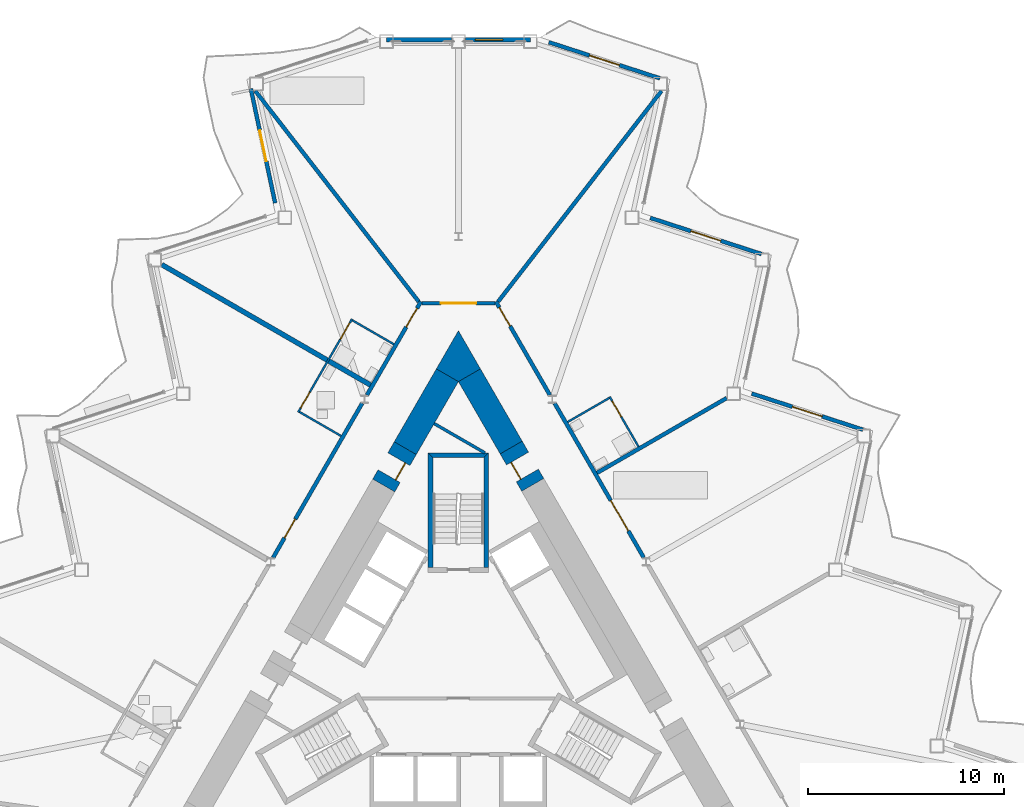
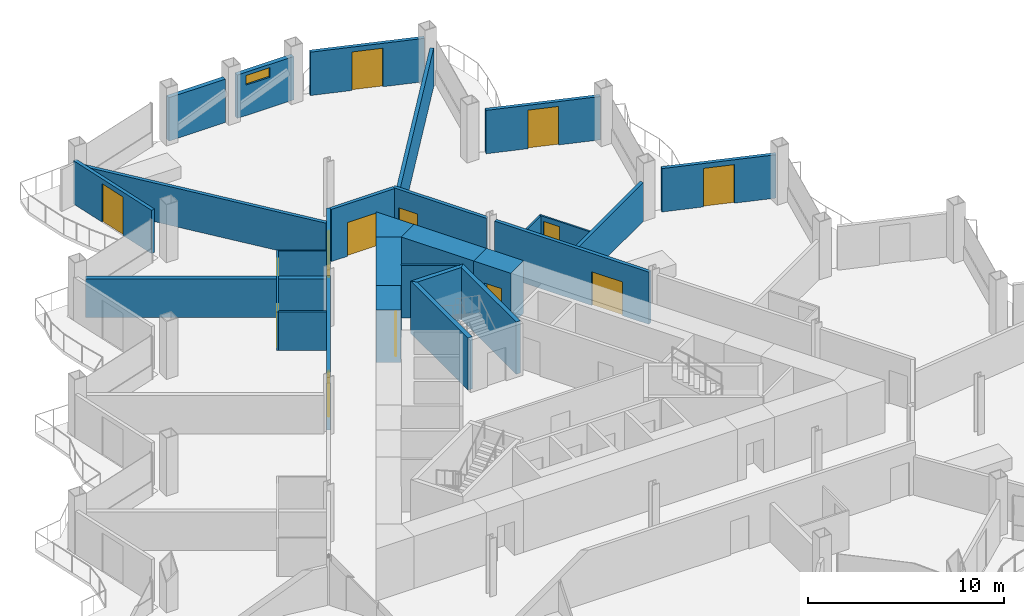
# One storey, part 14 of 23: 29 walls, 14 doors, 1 window, 15 openings.
"""IFC4 building model written with IfcOpenShell, lengths in metres."""

from ifc_helpers import new_model, si_unit, direction, frame, frame_2d, origin, place, context, subcontext, project, spatial, polyline, rectangle, outline, extrude, material, layer, layer_set, type_object, element, fill, save


model = new_model("IFC4")

# Units and contexts
model_context = context("Model", 3, precision=1e-05, world=origin(), true_north=direction((0.0, 1.0)))
body_context = subcontext(model_context, "Body", "Model", "MODEL_VIEW")
ifc_project = project(units=[si_unit("LENGTHUNIT", "METRE"), si_unit("AREAUNIT", "SQUARE_METRE"), si_unit("VOLUMEUNIT", "CUBIC_METRE"), si_unit("PLANEANGLEUNIT", "RADIAN"), si_unit("MASSUNIT", "GRAM", prefix="KILO")], contexts=[model_context])

# Site, building, storey
site_placement = place(None, origin())
site = spatial("IfcSite", under=ifc_project, at=site_placement, CompositionType="ELEMENT")
building_placement = place(site_placement, origin())
building = spatial("IfcBuilding", under=site, at=building_placement, Name="Cormorant Prow Tower", CompositionType="ELEMENT")
storey_placement = place(building_placement, frame((0.0, 0.0, 249.0)))
storey = spatial("IfcBuildingStorey", under=building, at=storey_placement, Name="L55", CompositionType="ELEMENT", Elevation=249.0)

# Walls
ifc_material_1 = material(Name="Gypsum board partition")
ifc_layer_1 = layer(ifc_material_1, 0.14990234375)
ifc_layer_set_1 = layer_set([ifc_layer_1], Name="Gypsum board partition")
wall_type_1 = type_object("IfcWallType", Name="Core partition 150", PredefinedType="PARTITIONING", material=ifc_layer_set_1)
wall_1_placement = place(storey_placement, frame((-1.237060546875, 12.577880859375, 0.0), z_axis=(0.0, 0.0, 1.0), x_axis=(0.866045649925, -0.499964931016, 0.0)))
element("IfcWall", 1, at=wall_1_placement, inside=storey, type_object=wall_type_1, Name="Service room partition", PredefinedType="PARTITIONING", context=body_context, shape_type="SweptSolid", body=[
    extrude(rectangle(XDim=2.992431640625, YDim=0.14990234375, at=frame_2d((1.49609375, 0.0))), origin(), (0.0, 0.0, 1.0), 3.25),
])
ifc_material_2 = material(Name="Concrete 8000 psi", Category="concrete")
ifc_layer_2 = layer(ifc_material_2, 1.300048828125)
ifc_layer_set_2 = layer_set([ifc_layer_2], Name="Concrete 8000 psi")
wall_type_2 = type_object("IfcWallType", Name="Core shear wall 1300", PredefinedType="SHEAR", material=ifc_layer_set_2)
wall_2_placement = place(storey_placement, frame((2.693115234375, 11.356201171875, 0.0), z_axis=(0.0, 0.0, 1.0), x_axis=(-0.50002837164, 0.866009022791, 0.0)))
element("IfcWall", 2, at=wall_2_placement, inside=storey, type_object=wall_type_2, Name="Core wall", PredefinedType="SHEAR", context=body_context, shape_type="SweptSolid", body=[
    extrude(rectangle(XDim=4.260009765625, YDim=1.300048828125, at=frame_2d((2.1298828125, 0.0))), origin(), (0.0, 0.0, 1.0), 3.25),
])
wall_3_placement = place(storey_placement, frame((-0.56298828125, 15.04541015625, 0.0), z_axis=(0.0, 0.0, 1.0), x_axis=(-0.499994567278, -0.866028540345, 0.0)))
element("IfcWall", 3, at=wall_3_placement, inside=storey, type_object=wall_type_2, Name="Core wall", PredefinedType="SHEAR", context=body_context, shape_type="SweptSolid", body=[
    extrude(rectangle(XDim=4.29736328125, YDim=1.300048828125, at=frame_2d((2.148681640625, 0.0))), origin(), (0.0, 0.0, 1.0), 3.25),
])
wall_4_placement = place(storey_placement, origin())
element("IfcWall", 4, at=wall_4_placement, inside=storey, type_object=wall_type_2, Name="Core wall corner", PredefinedType="SHEAR", context=body_context, shape_type="SweptSolid", body=[
    extrude(outline(polyline([(-1.125732421875, 15.37060546875), (0.0, 17.320556640625), (1.125732421875, 15.37060546875), (0.0, 14.720458984375), (-1.125732421875, 15.37060546875)])), origin(), (0.0, 0.0, 1.0), 3.25),
])

# Wall, opening, door
wall_5_placement = place(storey_placement, frame((-2.7119140625, 11.32373046875, 0.0), z_axis=(0.0, 0.0, 1.0), x_axis=(-0.499946605688, -0.86605622881, 0.0)))
wall_5 = element("IfcWall", 5, at=wall_5_placement, inside=storey, type_object=wall_type_2, Name="Core wall door panel", PredefinedType="SHEAR", context=body_context, shape_type="SweptSolid", body=[
    extrude(rectangle(XDim=2.199951171875, YDim=1.300048828125, at=frame_2d((1.10009765625, 0.0))), origin(), (0.0, 0.0, 1.0), 3.25),
])
opening_1_placement = place(wall_5_placement, frame((0.64990234375, 0.0, 0.0)))
opening_1 = element("IfcOpeningElement", 6, at=opening_1_placement, cuts=wall_5, Name="Opening L55-C17", PredefinedType="OPENING", context=body_context, shape_type="SweptSolid", body=[
    extrude(rectangle(XDim=1.0, YDim=2.10009765625, at=frame_2d((0.5, 1.050048828125))), frame((0.0, 0.659912109375, 0.0), z_axis=(0.0, -1.0, 0.0), x_axis=(1.0, 0.0, 0.0)), (0.0, 0.0, 1.0), 1.320068359375),
])
ifc_material_3 = material(Name="Painted steel", Category="steel")
door_type_1 = type_object("IfcDoorType", Name="Service door 1000x2100", OperationType="NOTDEFINED", PredefinedType="DOOR", material=ifc_material_3)
door_1_placement = place(opening_1_placement, origin())
door_1 = element("IfcDoor", 7, at=door_1_placement, inside=storey, type_object=door_type_1, Name="Core door, Telecom room", OperationType="SINGLE_SWING_LEFT", OverallHeight=2.10009765625, OverallWidth=1.0, PredefinedType="DOOR", context=body_context, shape_type="SweptSolid", body=[
    extrude(rectangle(XDim=1.0, YDim=2.10009765625, at=frame_2d((0.5, 1.050048828125))), frame((0.0, 0.40478515625, 0.0), z_axis=(0.0, -1.0, 0.0), x_axis=(1.0, 0.0, 0.0)), (0.0, 0.0, 1.0), 0.050048828125),
])
fill(opening_1, door_1)

wall_6_placement = place(storey_placement, frame((3.79296875, 9.450927734375, 0.0), z_axis=(0.0, 0.0, 1.0), x_axis=(-0.499946605688, 0.86605622881, 0.0)))
wall_6 = element("IfcWall", 8, at=wall_6_placement, inside=storey, type_object=wall_type_2, Name="Core wall door panel", PredefinedType="SHEAR", context=body_context, shape_type="SweptSolid", body=[
    extrude(rectangle(XDim=2.199951171875, YDim=1.300048828125, at=frame_2d((1.10009765625, 0.0))), origin(), (0.0, 0.0, 1.0), 3.25),
])
opening_2_placement = place(wall_6_placement, frame((0.550048828125, 0.0, 0.0)))
opening_2 = element("IfcOpeningElement", 9, at=opening_2_placement, cuts=wall_6, Name="Opening L55-C18", PredefinedType="OPENING", context=body_context, shape_type="SweptSolid", body=[
    extrude(rectangle(XDim=1.0, YDim=2.10009765625, at=frame_2d((0.5, 1.050048828125))), frame((0.0, 0.659912109375, 0.0), z_axis=(0.0, -1.0, 0.0), x_axis=(1.0, 0.0, 0.0)), (0.0, 0.0, 1.0), 1.320068359375),
])
door_2_placement = place(opening_2_placement, origin())
door_2 = element("IfcDoor", 10, at=door_2_placement, inside=storey, type_object=door_type_1, Name="Core door, Pantry store", OperationType="SINGLE_SWING_RIGHT", OverallHeight=2.10009765625, OverallWidth=1.0, PredefinedType="DOOR", context=body_context, shape_type="SweptSolid", body=[
    extrude(rectangle(XDim=1.0, YDim=2.10009765625, at=frame_2d((0.5, 1.050048828125))), frame((0.0, 0.40478515625, 0.0), z_axis=(0.0, -1.0, 0.0), x_axis=(1.0, 0.0, 0.0)), (0.0, 0.0, 1.0), 0.050048828125),
])
fill(opening_2, door_2)

ifc_material_4 = material(Name="Gypsum board corridor wall")
ifc_layer_3 = layer(ifc_material_4, 0.199951171875)
ifc_layer_set_3 = layer_set([ifc_layer_3], Name="Gypsum board corridor wall")
wall_type_3 = type_object("IfcWallType", Name="Corridor wall 200", PredefinedType="PARTITIONING", material=ifc_layer_set_3)
wall_7_placement = place(storey_placement, frame((4.91015625, 13.61572265625, 0.0), z_axis=(0.0, 0.0, 1.0), x_axis=(0.50000207303, -0.866024206917, 0.0)))
wall_7 = element("IfcWall", 11, at=wall_7_placement, inside=storey, type_object=wall_type_3, Name="Corridor wall", PredefinedType="PARTITIONING", context=body_context, shape_type="SweptSolid", body=[
    extrude(rectangle(XDim=9.0947265625, YDim=0.199951171875, at=frame_2d((4.54736328125, 0.0))), origin(), (0.0, 0.0, 1.0), 3.25),
])
opening_3_placement = place(wall_7_placement, frame((5.726318359375, 0.0, 0.0)))
opening_3 = element("IfcOpeningElement", 12, at=opening_3_placement, cuts=wall_7, Name="Opening L55-F10", PredefinedType="OPENING", context=body_context, shape_type="SweptSolid", body=[
    extrude(rectangle(XDim=1.800048828125, YDim=2.10009765625, at=frame_2d((0.89990234375, 1.050048828125))), frame((0.0, 0.10986328125, 0.0), z_axis=(0.0, -1.0, 0.0), x_axis=(1.0, 0.0, 0.0)), (0.0, 0.0, 1.0), 0.219970703125),
])
ifc_material_5 = material(Name="Timber door leaf", Category="wood")
door_type_2 = type_object("IfcDoorType", Name="Double door 1800x2100", OperationType="DOUBLE_DOOR_SINGLE_SWING", PredefinedType="DOOR", material=ifc_material_5)
door_3_placement = place(opening_3_placement, origin())
door_3 = element("IfcDoor", 13, at=door_3_placement, inside=storey, type_object=door_type_2, Name="Library door", OperationType="DOUBLE_DOOR_SINGLE_SWING", OverallHeight=2.10009765625, OverallWidth=1.800048828125, PredefinedType="DOOR", context=body_context, shape_type="SweptSolid", body=[
    extrude(rectangle(XDim=1.800048828125, YDim=2.10009765625, at=frame_2d((0.89990234375, 1.050048828125))), frame((0.0, 0.02490234375, 0.0), z_axis=(0.0, -1.0, 0.0), x_axis=(1.0, 0.0, 0.0)), (0.0, 0.0, 1.0), 0.050048828125),
])
fill(opening_3, door_3)

wall_8_placement = place(storey_placement, frame((-9.45751953125, 5.739501953125, 0.0), z_axis=(0.0, 0.0, 1.0), x_axis=(0.50000207303, 0.866024206917, 0.0)))
wall_8 = element("IfcWall", 14, at=wall_8_placement, inside=storey, type_object=wall_type_3, Name="Corridor wall", PredefinedType="PARTITIONING", context=body_context, shape_type="SweptSolid", body=[
    extrude(rectangle(XDim=9.0947265625, YDim=0.199951171875, at=frame_2d((4.54736328125, 0.0))), origin(), (0.0, 0.0, 1.0), 3.25),
])
opening_4_placement = place(wall_8_placement, frame((1.16162109375, 0.0, 0.0)))
opening_4 = element("IfcOpeningElement", 15, at=opening_4_placement, cuts=wall_8, Name="Opening L55-F16", PredefinedType="OPENING", context=body_context, shape_type="SweptSolid", body=[
    extrude(rectangle(XDim=1.10009765625, YDim=2.10009765625, at=frame_2d((0.550048828125, 1.050048828125))), frame((0.0, 0.10986328125, 0.0), z_axis=(0.0, -1.0, 0.0), x_axis=(1.0, 0.0, 0.0)), (0.0, 0.0, 1.0), 0.219970703125),
])
ifc_material_6 = material(Name="Timber door leaf", Category="wood")
door_type_3 = type_object("IfcDoorType", Name="Suite entrance door 1100x2100", OperationType="NOTDEFINED", PredefinedType="DOOR", material=ifc_material_6)
door_4_placement = place(opening_4_placement, origin())
door_4 = element("IfcDoor", 16, at=door_4_placement, inside=storey, type_object=door_type_3, Name="Junior suite door", OperationType="SINGLE_SWING_LEFT", OverallHeight=2.10009765625, OverallWidth=1.10009765625, PredefinedType="DOOR", context=body_context, shape_type="SweptSolid", body=[
    extrude(rectangle(XDim=1.10009765625, YDim=2.10009765625, at=frame_2d((0.550048828125, 1.050048828125))), frame((0.0, 0.02490234375, 0.0), z_axis=(0.0, -1.0, 0.0), x_axis=(1.0, 0.0, 0.0)), (0.0, 0.0, 1.0), 0.050048828125),
])
fill(opening_4, door_4)

wall_9_placement = place(storey_placement, frame((-4.668212890625, 14.034912109375, 0.0), z_axis=(0.0, 0.0, 1.0), x_axis=(0.499984524817, 0.866034338201, 0.0)))
wall_9 = element("IfcWall", 17, at=wall_9_placement, inside=storey, type_object=wall_type_3, Name="Corridor wall", PredefinedType="PARTITIONING", context=body_context, shape_type="SweptSolid", body=[
    extrude(rectangle(XDim=5.510498046875, YDim=0.199951171875, at=frame_2d((2.75537109375, 0.0))), origin(), (0.0, 0.0, 1.0), 3.25),
])
opening_5_placement = place(wall_9_placement, frame((4.009765625, 0.0, 0.0)))
opening_5 = element("IfcOpeningElement", 18, at=opening_5_placement, cuts=wall_9, Name="Opening L55-F14", PredefinedType="OPENING", context=body_context, shape_type="SweptSolid", body=[
    extrude(rectangle(XDim=1.10009765625, YDim=2.10009765625, at=frame_2d((0.550048828125, 1.050048828125))), frame((0.0, 0.10986328125, 0.0), z_axis=(0.0, -1.0, 0.0), x_axis=(1.0, 0.0, 0.0)), (0.0, 0.0, 1.0), 0.219970703125),
])
door_5_placement = place(opening_5_placement, origin())
door_5 = element("IfcDoor", 19, at=door_5_placement, inside=storey, type_object=door_type_3, Name="Junior suite door", OperationType="SINGLE_SWING_RIGHT", OverallHeight=2.10009765625, OverallWidth=1.10009765625, PredefinedType="DOOR", context=body_context, shape_type="SweptSolid", body=[
    extrude(rectangle(XDim=1.10009765625, YDim=2.10009765625, at=frame_2d((0.550048828125, 1.050048828125))), frame((0.0, 0.02490234375, 0.0), z_axis=(0.0, -1.0, 0.0), x_axis=(1.0, 0.0, 0.0)), (0.0, 0.0, 1.0), 0.050048828125),
])
fill(opening_5, door_5)

wall_10_placement = place(storey_placement, frame((1.9130859375, 18.80712890625, 0.0), z_axis=(0.0, 0.0, 1.0), x_axis=(0.499984524817, -0.866034338201, 0.0)))
wall_10 = element("IfcWall", 20, at=wall_10_placement, inside=storey, type_object=wall_type_3, Name="Corridor wall", PredefinedType="PARTITIONING", context=body_context, shape_type="SweptSolid", body=[
    extrude(rectangle(XDim=5.510498046875, YDim=0.199951171875, at=frame_2d((2.75537109375, 0.0))), origin(), (0.0, 0.0, 1.0), 3.25),
])
opening_6_placement = place(wall_10_placement, frame((0.350341796875, 0.0, 0.0)))
opening_6 = element("IfcOpeningElement", 21, at=opening_6_placement, cuts=wall_10, Name="Opening L55-F11", PredefinedType="OPENING", context=body_context, shape_type="SweptSolid", body=[
    extrude(rectangle(XDim=1.10009765625, YDim=2.10009765625, at=frame_2d((0.550048828125, 1.050048828125))), frame((0.0, 0.10986328125, 0.0), z_axis=(0.0, -1.0, 0.0), x_axis=(1.0, 0.0, 0.0)), (0.0, 0.0, 1.0), 0.219970703125),
])
door_6_placement = place(opening_6_placement, origin())
door_6 = element("IfcDoor", 22, at=door_6_placement, inside=storey, type_object=door_type_3, Name="Executive suite bedroom door", OperationType="SINGLE_SWING_LEFT", OverallHeight=2.10009765625, OverallWidth=1.10009765625, PredefinedType="DOOR", context=body_context, shape_type="SweptSolid", body=[
    extrude(rectangle(XDim=1.10009765625, YDim=2.10009765625, at=frame_2d((0.550048828125, 1.050048828125))), frame((0.0, 0.02490234375, 0.0), z_axis=(0.0, -1.0, 0.0), x_axis=(1.0, 0.0, 0.0)), (0.0, 0.0, 1.0), 0.050048828125),
])
fill(opening_6, door_6)

wall_11_placement = place(storey_placement, frame((-1.863037109375, 18.720458984375, 0.0), z_axis=(0.0, 0.0, 1.0), x_axis=(1.0, 0.0, 0.0)))
wall_11 = element("IfcWall", 23, at=wall_11_placement, inside=storey, type_object=wall_type_3, Name="Corridor wall", PredefinedType="PARTITIONING", context=body_context, shape_type="SweptSolid", body=[
    extrude(rectangle(XDim=3.72607421875, YDim=0.199951171875, at=frame_2d((1.863037109375, 0.0))), origin(), (0.0, 0.0, 1.0), 3.25),
])
opening_7_placement = place(wall_11_placement, frame((0.962890625, 0.0, 0.0)))
opening_7 = element("IfcOpeningElement", 24, at=opening_7_placement, cuts=wall_11, Name="Opening L55-F13", PredefinedType="OPENING", context=body_context, shape_type="SweptSolid", body=[
    extrude(rectangle(XDim=1.800048828125, YDim=2.10009765625, at=frame_2d((0.89990234375, 1.050048828125))), frame((0.0, 0.10986328125, 0.0), z_axis=(0.0, -1.0, 0.0), x_axis=(1.0, 0.0, 0.0)), (0.0, 0.0, 1.0), 0.219970703125),
])
door_7_placement = place(opening_7_placement, origin())
door_7 = element("IfcDoor", 25, at=door_7_placement, inside=storey, type_object=door_type_2, Name="Co-working space door", OperationType="DOUBLE_DOOR_SINGLE_SWING", OverallHeight=2.10009765625, OverallWidth=1.800048828125, PredefinedType="DOOR", context=body_context, shape_type="SweptSolid", body=[
    extrude(rectangle(XDim=1.800048828125, YDim=2.10009765625, at=frame_2d((0.89990234375, 1.050048828125))), frame((0.0, 0.02490234375, 0.0), z_axis=(0.0, -1.0, 0.0), x_axis=(1.0, 0.0, 0.0)), (0.0, 0.0, 1.0), 0.050048828125),
])
fill(opening_7, door_7)

# Walls
ifc_material_7 = material(Name="Gypsum board demising wall")
ifc_layer_4 = layer(ifc_material_7, 0.199951171875)
ifc_layer_set_4 = layer_set([ifc_layer_4], Name="Gypsum board demising wall")
wall_type_4 = type_object("IfcWallType", Name="Demising wall 200", PredefinedType="PARTITIONING", material=ifc_layer_set_4)
for number, where, z_axis, x_axis, name in (
    (26, (2.0244140625, 18.799560546875, 0.0), (0.0, 0.0, 1.0), (0.612908308889, 0.790154038713, 0.0), "Demising wall"),
    (27, (-10.367919921875, 29.555908203125, 0.0), (0.0, 0.0, 1.0), (0.612908308889, -0.790154038713, 0.0), "Demising wall"),
):
    element("IfcWall", number, at=place(storey_placement, frame(where, z_axis=z_axis, x_axis=x_axis)), inside=storey, type_object=wall_type_4, Name=name, PredefinedType="PARTITIONING", context=body_context, shape_type="SweptSolid", body=[
        extrude(rectangle(XDim=13.613037109375, YDim=0.199951171875, at=frame_2d((6.806640625, 0.0))), origin(), (0.0, 0.0, 1.0), 2.404296875),
    ])
wall_12_placement = place(storey_placement, frame((7.0771484375, 10.0625, 0.0), z_axis=(0.0, 0.0, 1.0), x_axis=(0.866041764179, 0.499971661894, 0.0)))
element("IfcWall", 28, at=wall_12_placement, inside=storey, type_object=wall_type_4, Name="Demising wall", PredefinedType="PARTITIONING", context=body_context, shape_type="SweptSolid", body=[
    extrude(rectangle(XDim=7.63232421875, YDim=0.199951171875, at=frame_2d((3.816162109375, 0.0))), origin(), (0.0, 0.0, 1.0), 2.404296875),
])

# Wall, openings, doors
ifc_material_8 = material(Name="Gypsum board partition")
ifc_layer_5 = layer(ifc_material_8, 0.10009765625)
ifc_layer_set_5 = layer_set([ifc_layer_5], Name="Gypsum board partition")
wall_type_5 = type_object("IfcWallType", Name="Internal partition 100", PredefinedType="PARTITIONING", material=ifc_layer_set_5)
wall_13_placement = place(storey_placement, frame((-8.179443359375, 13.1533203125, 0.0), z_axis=(0.0, 0.0, 1.0), x_axis=(0.499996545922, 0.866027397988, 0.0)))
wall_13 = element("IfcWall", 29, at=wall_13_placement, inside=storey, type_object=wall_type_5, Name="Internal partition", PredefinedType="PARTITIONING", context=body_context, shape_type="SweptSolid", body=[
    extrude(rectangle(XDim=5.5, YDim=0.10009765625, at=frame_2d((2.75, 0.0))), origin(), (0.0, 0.0, 1.0), 2.404296875),
])
opening_8_placement = place(wall_13_placement, frame((4.300048828125, 0.0, 0.0)))
opening_8 = element("IfcOpeningElement", 30, at=opening_8_placement, cuts=wall_13, Name="Opening L55-F15", PredefinedType="OPENING", context=body_context, shape_type="SweptSolid", body=[
    extrude(rectangle(XDim=0.949951171875, YDim=2.10009765625, at=frame_2d((0.47509765625, 1.050048828125))), frame((0.0, 0.06005859375, 0.0), z_axis=(0.0, -1.0, 0.0), x_axis=(1.0, 0.0, 0.0)), (0.0, 0.0, 1.0), 0.1201171875),
])
opening_9_placement = place(wall_13_placement, frame((0.25, 0.0, 0.0)))
opening_9 = element("IfcOpeningElement", 31, at=opening_9_placement, cuts=wall_13, Name="Opening L55-F17", PredefinedType="OPENING", context=body_context, shape_type="SweptSolid", body=[
    extrude(rectangle(XDim=0.949951171875, YDim=2.10009765625, at=frame_2d((0.47509765625, 1.050048828125))), frame((0.0, 0.06005859375, 0.0), z_axis=(0.0, -1.0, 0.0), x_axis=(1.0, 0.0, 0.0)), (0.0, 0.0, 1.0), 0.1201171875),
])
ifc_material_9 = material(Name="Timber door leaf", Category="wood")
door_type_4 = type_object("IfcDoorType", Name="Bathroom door 950x2100", OperationType="NOTDEFINED", PredefinedType="DOOR", material=ifc_material_9)
door_8_placement = place(opening_8_placement, origin())
door_8 = element("IfcDoor", 32, at=door_8_placement, inside=storey, type_object=door_type_4, Name="Junior suite door", OperationType="SINGLE_SWING_RIGHT", OverallHeight=2.10009765625, OverallWidth=0.949951171875, PredefinedType="DOOR", context=body_context, shape_type="SweptSolid", body=[
    extrude(rectangle(XDim=0.949951171875, YDim=2.10009765625, at=frame_2d((0.47509765625, 1.050048828125))), frame((0.0, 0.02490234375, 0.0), z_axis=(0.0, -1.0, 0.0), x_axis=(1.0, 0.0, 0.0)), (0.0, 0.0, 1.0), 0.050048828125),
])
fill(opening_8, door_8)
door_9_placement = place(opening_9_placement, origin())
door_9 = element("IfcDoor", 33, at=door_9_placement, inside=storey, type_object=door_type_4, Name="Junior suite door", OperationType="SINGLE_SWING_LEFT", OverallHeight=2.10009765625, OverallWidth=0.949951171875, PredefinedType="DOOR", context=body_context, shape_type="SweptSolid", body=[
    extrude(rectangle(XDim=0.949951171875, YDim=2.10009765625, at=frame_2d((0.47509765625, 1.050048828125))), frame((0.0, 0.02490234375, 0.0), z_axis=(0.0, -1.0, 0.0), x_axis=(1.0, 0.0, 0.0)), (0.0, 0.0, 1.0), 0.050048828125),
])
fill(opening_9, door_9)

# Wall, opening, door
wall_14_placement = place(storey_placement, frame((7.71728515625, 13.953857421875, 0.0), z_axis=(0.0, 0.0, 1.0), x_axis=(0.500001826776, -0.866024349092, 0.0)))
wall_14 = element("IfcWall", 34, at=wall_14_placement, inside=storey, type_object=wall_type_5, Name="Internal partition", PredefinedType="PARTITIONING", context=body_context, shape_type="SweptSolid", body=[
    extrude(rectangle(XDim=2.9501953125, YDim=0.10009765625, at=frame_2d((1.47509765625, 0.0))), origin(), (0.0, 0.0, 1.0), 2.404296875),
])
opening_10_placement = place(wall_14_placement, frame((0.25, 0.0, 0.0)))
opening_10 = element("IfcOpeningElement", 35, at=opening_10_placement, cuts=wall_14, Name="Opening L55-F12", PredefinedType="OPENING", context=body_context, shape_type="SweptSolid", body=[
    extrude(rectangle(XDim=0.949951171875, YDim=2.10009765625, at=frame_2d((0.47509765625, 1.050048828125))), frame((0.0, 0.06005859375, 0.0), z_axis=(0.0, -1.0, 0.0), x_axis=(1.0, 0.0, 0.0)), (0.0, 0.0, 1.0), 0.1201171875),
])
door_10_placement = place(opening_10_placement, origin())
door_10 = element("IfcDoor", 36, at=door_10_placement, inside=storey, type_object=door_type_4, Name="Executive suite bedroom door", OperationType="SINGLE_SWING_LEFT", OverallHeight=2.10009765625, OverallWidth=0.949951171875, PredefinedType="DOOR", context=body_context, shape_type="SweptSolid", body=[
    extrude(rectangle(XDim=0.949951171875, YDim=2.10009765625, at=frame_2d((0.47509765625, 1.050048828125))), frame((0.0, 0.02490234375, 0.0), z_axis=(0.0, -1.0, 0.0), x_axis=(1.0, 0.0, 0.0)), (0.0, 0.0, 1.0), 0.050048828125),
])
fill(opening_10, door_10)

# Walls
wall_15_placement = place(storey_placement, frame((-5.4111328125, 17.84814453125, 0.0), z_axis=(0.0, 0.0, 1.0), x_axis=(0.866057815567, -0.499943856944, 0.0)))
element("IfcWall", 37, at=wall_15_placement, inside=storey, type_object=wall_type_5, Name="Internal partition", PredefinedType="PARTITIONING", context=body_context, shape_type="SweptSolid", body=[
    extrude(rectangle(XDim=2.449951171875, YDim=0.10009765625, at=frame_2d((1.22509765625, 0.0))), origin(), (0.0, 0.0, 1.0), 2.404296875),
])
wall_16_placement = place(storey_placement, frame((5.5771484375, 12.660400390625, 0.0), z_axis=(0.0, 0.0, 1.0), x_axis=(0.866014668023, 0.500018594424, 0.0)))
element("IfcWall", 38, at=wall_16_placement, inside=storey, type_object=wall_type_5, Name="Internal partition", PredefinedType="PARTITIONING", context=body_context, shape_type="SweptSolid", body=[
    extrude(rectangle(XDim=2.4501953125, YDim=0.10009765625, at=frame_2d((1.22509765625, 0.0))), origin(), (0.0, 0.0, 1.0), 2.404296875),
])
wall_17_placement = place(storey_placement, frame((-8.111083984375, 13.171630859375, 0.0), z_axis=(0.0, 0.0, 1.0), x_axis=(0.865989751695, -0.500061746146, 0.0)))
element("IfcWall", 39, at=wall_17_placement, inside=storey, type_object=wall_type_5, Name="Internal partition", PredefinedType="PARTITIONING", context=body_context, shape_type="SweptSolid", body=[
    extrude(rectangle(XDim=2.449951171875, YDim=0.10009765625, at=frame_2d((1.22509765625, 0.0))), origin(), (0.0, 0.0, 1.0), 2.404296875),
])
ifc_material_10 = material(Name="Concrete 8000 psi", Category="concrete")
ifc_layer_6 = layer(ifc_material_10, 0.25)
ifc_layer_set_6 = layer_set([ifc_layer_6], Name="Concrete 8000 psi")
wall_type_6 = type_object("IfcWallType", Name="Stair wall 250", PredefinedType="SHEAR", material=ifc_layer_set_6)
wall_18_placement = place(storey_placement, origin())
element("IfcWall", 40, at=wall_18_placement, inside=storey, type_object=wall_type_6, Name="Stair ST3 enclosure wall (flank)", PredefinedType="SHEAR", context=body_context, shape_type="SweptSolid", body=[
    extrude(outline(polyline([(1.5439453125, 5.23681640625), (1.5439453125, 11.0869140625), (1.2939453125, 10.8369140625), (1.2939453125, 5.23681640625), (1.5439453125, 5.23681640625)])), origin(), (0.0, 0.0, 1.0), 3.25),
])
wall_19_placement = place(storey_placement, origin())
element("IfcWall", 41, at=wall_19_placement, inside=storey, type_object=wall_type_6, Name="Stair ST3 enclosure wall (end)", PredefinedType="SHEAR", context=body_context, shape_type="SweptSolid", body=[
    extrude(outline(polyline([(1.5439453125, 11.0869140625), (-1.5439453125, 11.0869140625), (-1.2939453125, 10.8369140625), (1.2939453125, 10.8369140625), (1.5439453125, 11.0869140625)])), origin(), (0.0, 0.0, 1.0), 3.25),
])
wall_20_placement = place(storey_placement, origin())
element("IfcWall", 42, at=wall_20_placement, inside=storey, type_object=wall_type_6, Name="Stair ST3 enclosure wall (flank)", PredefinedType="SHEAR", context=body_context, shape_type="SweptSolid", body=[
    extrude(outline(polyline([(-1.2939453125, 10.8369140625), (-1.5439453125, 11.0869140625), (-1.5439453125, 5.23681640625), (-1.2939453125, 5.23681640625), (-1.2939453125, 10.8369140625)])), origin(), (0.0, 0.0, 1.0), 3.25),
])
ifc_material_11 = material(Name="Acoustic gypsum party wall")
ifc_layer_7 = layer(ifc_material_11, 0.25)
ifc_layer_set_7 = layer_set([ifc_layer_7], Name="Acoustic gypsum party wall")
wall_type_7 = type_object("IfcWallType", Name="Suite party wall 250", PredefinedType="PARTITIONING", material=ifc_layer_set_7)
wall_21_placement = place(storey_placement, frame((-15.138427734375, 20.693115234375, 0.0), z_axis=(0.0, 0.0, 1.0), x_axis=(0.866015637476, -0.500016915361, 0.0)))
element("IfcWall", 43, at=wall_21_placement, inside=storey, type_object=wall_type_7, Name="Suite party wall", PredefinedType="PARTITIONING", context=body_context, shape_type="SweptSolid", body=[
    extrude(rectangle(XDim=12.29638671875, YDim=0.25, at=frame_2d((6.148193359375, 0.0))), origin(), (0.0, 0.0, 1.0), 2.404296875),
])

# Wall, opening, window
ifc_material_12 = material(Name="Terracotta", Category="masonry")
ifc_layer_8 = layer(ifc_material_12, 0.25)
ifc_layer_set_8 = layer_set([ifc_layer_8], Name="Terracotta")
wall_type_8 = type_object("IfcWallType", Name="Terracotta bay wall 250", PredefinedType="SOLIDWALL", material=ifc_layer_set_8)
wall_22_placement = place(storey_placement, frame((3.6708984375, 32.16552734375, 0.0), z_axis=(0.0, 0.0, 1.0), x_axis=(-1.0, 0.0, 0.0)))
wall_22 = element("IfcWall", 44, at=wall_22_placement, inside=storey, type_object=wall_type_8, Name="Terracotta bay wall N00", PredefinedType="SOLIDWALL", context=body_context, shape_type="SweptSolid", body=[
    extrude(rectangle(XDim=3.32080078125, YDim=0.25, at=frame_2d((1.660400390625, 0.0))), origin(), (0.0, 0.0, 1.0), 2.700927734375),
])
opening_11_placement = place(wall_22_placement, frame((1.39990234375, 0.0, 1.89990234375)))
opening_11 = element("IfcOpeningElement", 45, at=opening_11_placement, cuts=wall_22, Name="Opening WN6", PredefinedType="OPENING", context=body_context, shape_type="SweptSolid", body=[
    extrude(rectangle(XDim=1.39990234375, YDim=0.60009765625, at=frame_2d((0.699951171875, 0.300048828125))), frame((0.0, 0.135009765625, 0.0), z_axis=(0.0, -1.0, 0.0), x_axis=(1.0, 0.0, 0.0)), (0.0, 0.0, 1.0), 0.27001953125),
])
ifc_material_13 = material(Name="Aluminium 6063-T6", Category="aluminium")
window_type = type_object("IfcWindowType", Name="Corner bay window 1400x600", PartitioningType="SINGLE_PANEL", PredefinedType="WINDOW", material=ifc_material_13)
window_placement = place(opening_11_placement, origin())
window = element("IfcWindow", 46, at=window_placement, inside=storey, type_object=window_type, Name="Corner bay window N00", OverallHeight=0.60009765625, OverallWidth=1.39990234375, PartitioningType="SINGLE_PANEL", PredefinedType="WINDOW", context=body_context, shape_type="SweptSolid", body=[
    extrude(rectangle(XDim=1.39990234375, YDim=0.60009765625, at=frame_2d((0.699951171875, 0.300048828125))), frame((0.0, 0.030029296875, 0.0), z_axis=(0.0, -1.0, 0.0), x_axis=(1.0, 0.0, 0.0)), (0.0, 0.0, 1.0), 0.06005859375),
])
fill(opening_11, window)

# Wall
wall_23_placement = place(storey_placement, frame((-0.35009765625, 32.16552734375, 0.0), z_axis=(0.0, 0.0, 1.0), x_axis=(-1.0, 0.0, 0.0)))
element("IfcWall", 47, at=wall_23_placement, inside=storey, type_object=wall_type_8, Name="Terracotta bay wall N01", PredefinedType="SOLIDWALL", context=body_context, shape_type="SweptSolid", body=[
    extrude(rectangle(XDim=3.32080078125, YDim=0.25, at=frame_2d((1.660400390625, 0.0))), origin(), (0.0, 0.0, 1.0), 2.700927734375),
])

# Wall, opening, door
ifc_material_14 = material(Name="Terracotta", Category="masonry")
ifc_layer_9 = layer(ifc_material_14, 0.199951171875)
ifc_layer_set_9 = layer_set([ifc_layer_9], Name="Terracotta")
wall_type_9 = type_object("IfcWallType", Name="Terracotta jamb wall 200", PredefinedType="SOLIDWALL", material=ifc_layer_set_9)
wall_24_placement = place(storey_placement, frame((20.6396484375, 12.268798828125, 0.0), z_axis=(0.0, 0.0, 1.0), x_axis=(-0.95104730696, 0.309045336358, 0.0)))
wall_24 = element("IfcWall", 48, at=wall_24_placement, inside=storey, type_object=wall_type_9, Name="Terracotta jamb wall ENE05", PredefinedType="SOLIDWALL", context=body_context, shape_type="SweptSolid", body=[
    extrude(rectangle(XDim=5.962890625, YDim=0.199951171875, at=frame_2d((2.9814453125, 0.0))), origin(), (0.0, 0.0, 1.0), 2.700927734375),
])
opening_12_placement = place(wall_24_placement, frame((2.181396484375, 0.0, 0.0)))
opening_12 = element("IfcOpeningElement", 49, at=opening_12_placement, cuts=wall_24, Name="Opening ED55.08", PredefinedType="OPENING", context=body_context, shape_type="SweptSolid", body=[
    extrude(rectangle(XDim=1.60009765625, YDim=2.39990234375, at=frame_2d((0.800048828125, 1.199951171875))), frame((0.0, 0.10986328125, 0.0), z_axis=(0.0, -1.0, 0.0), x_axis=(1.0, 0.0, 0.0)), (0.0, 0.0, 1.0), 0.219970703125),
])
ifc_material_15 = material(Name="Aluminium 6063-T6", Category="aluminium")
door_type_5 = type_object("IfcDoorType", Name="Balcony door 1600x2400", OperationType="DOUBLE_DOOR_SINGLE_SWING", PredefinedType="DOOR", material=ifc_material_15)
door_11_placement = place(opening_12_placement, origin())
door_11 = element("IfcDoor", 50, at=door_11_placement, inside=storey, type_object=door_type_5, Name="Balcony door ENE05 ED55.08", OperationType="DOUBLE_DOOR_SINGLE_SWING", OverallHeight=2.39990234375, OverallWidth=1.60009765625, PredefinedType="DOOR", context=body_context, shape_type="SweptSolid", body=[
    extrude(rectangle(XDim=1.60009765625, YDim=2.39990234375, at=frame_2d((0.800048828125, 1.199951171875))), frame((0.0, 0.02490234375, 0.0), z_axis=(0.0, -1.0, 0.0), x_axis=(1.0, 0.0, 0.0)), (0.0, 0.0, 1.0), 0.050048828125),
])
fill(opening_12, door_11)

wall_25_placement = place(storey_placement, frame((15.4638671875, 21.2333984375, 0.0), z_axis=(0.0, 0.0, 1.0), x_axis=(-0.951055430656, 0.309020335608, 0.0)))
wall_25 = element("IfcWall", 51, at=wall_25_placement, inside=storey, type_object=wall_type_9, Name="Terracotta jamb wall ENE07", PredefinedType="SOLIDWALL", context=body_context, shape_type="SweptSolid", body=[
    extrude(rectangle(XDim=5.96240234375, YDim=0.199951171875, at=frame_2d((2.981201171875, 0.0))), origin(), (0.0, 0.0, 1.0), 2.700927734375),
])
opening_13_placement = place(wall_25_placement, frame((2.181396484375, 0.0, 0.0)))
opening_13 = element("IfcOpeningElement", 52, at=opening_13_placement, cuts=wall_25, Name="Opening ED55.09", PredefinedType="OPENING", context=body_context, shape_type="SweptSolid", body=[
    extrude(rectangle(XDim=1.60009765625, YDim=2.39990234375, at=frame_2d((0.800048828125, 1.199951171875))), frame((0.0, 0.10986328125, 0.0), z_axis=(0.0, -1.0, 0.0), x_axis=(1.0, 0.0, 0.0)), (0.0, 0.0, 1.0), 0.219970703125),
])
door_12_placement = place(opening_13_placement, origin())
door_12 = element("IfcDoor", 53, at=door_12_placement, inside=storey, type_object=door_type_5, Name="Balcony door ENE07 ED55.09", OperationType="DOUBLE_DOOR_SINGLE_SWING", OverallHeight=2.39990234375, OverallWidth=1.60009765625, PredefinedType="DOOR", context=body_context, shape_type="SweptSolid", body=[
    extrude(rectangle(XDim=1.60009765625, YDim=2.39990234375, at=frame_2d((0.800048828125, 1.199951171875))), frame((0.0, 0.02490234375, 0.0), z_axis=(0.0, -1.0, 0.0), x_axis=(1.0, 0.0, 0.0)), (0.0, 0.0, 1.0), 0.050048828125),
])
fill(opening_13, door_12)

wall_26_placement = place(storey_placement, frame((10.2880859375, 30.197998046875, 0.0), z_axis=(0.0, 0.0, 1.0), x_axis=(-0.951055430656, 0.309020335608, 0.0)))
wall_26 = element("IfcWall", 54, at=wall_26_placement, inside=storey, type_object=wall_type_9, Name="Terracotta jamb wall ENE09", PredefinedType="SOLIDWALL", context=body_context, shape_type="SweptSolid", body=[
    extrude(rectangle(XDim=5.96240234375, YDim=0.199951171875, at=frame_2d((2.981201171875, 0.0))), origin(), (0.0, 0.0, 1.0), 2.700927734375),
])
opening_14_placement = place(wall_26_placement, frame((2.181396484375, 0.0, 0.0)))
opening_14 = element("IfcOpeningElement", 55, at=opening_14_placement, cuts=wall_26, Name="Opening ED55.10", PredefinedType="OPENING", context=body_context, shape_type="SweptSolid", body=[
    extrude(rectangle(XDim=1.60009765625, YDim=2.39990234375, at=frame_2d((0.800048828125, 1.199951171875))), frame((0.0, 0.10986328125, 0.0), z_axis=(0.0, -1.0, 0.0), x_axis=(1.0, 0.0, 0.0)), (0.0, 0.0, 1.0), 0.219970703125),
])
door_13_placement = place(opening_14_placement, origin())
door_13 = element("IfcDoor", 56, at=door_13_placement, inside=storey, type_object=door_type_5, Name="Balcony door ENE09 ED55.10", OperationType="DOUBLE_DOOR_SINGLE_SWING", OverallHeight=2.39990234375, OverallWidth=1.60009765625, PredefinedType="DOOR", context=body_context, shape_type="SweptSolid", body=[
    extrude(rectangle(XDim=1.60009765625, YDim=2.39990234375, at=frame_2d((0.800048828125, 1.199951171875))), frame((0.0, 0.02490234375, 0.0), z_axis=(0.0, -1.0, 0.0), x_axis=(1.0, 0.0, 0.0)), (0.0, 0.0, 1.0), 0.050048828125),
])
fill(opening_14, door_13)

wall_27_placement = place(storey_placement, frame((-10.593505859375, 29.669189453125, 0.0), z_axis=(0.0, 0.0, 1.0), x_axis=(0.207881772083, -0.978153959679, 0.0)))
wall_27 = element("IfcWall", 57, at=wall_27_placement, inside=storey, type_object=wall_type_9, Name="Terracotta jamb wall WNW01", PredefinedType="SOLIDWALL", context=body_context, shape_type="SweptSolid", body=[
    extrude(rectangle(XDim=5.962646484375, YDim=0.199951171875, at=frame_2d((2.9814453125, 0.0))), origin(), (0.0, 0.0, 1.0), 2.700927734375),
])
opening_15_placement = place(wall_27_placement, frame((2.181396484375, 0.0, 0.0)))
opening_15 = element("IfcOpeningElement", 58, at=opening_15_placement, cuts=wall_27, Name="Opening ED55.11", PredefinedType="OPENING", context=body_context, shape_type="SweptSolid", body=[
    extrude(rectangle(XDim=1.60009765625, YDim=2.39990234375, at=frame_2d((0.800048828125, 1.199951171875))), frame((0.0, 0.10986328125, 0.0), z_axis=(0.0, -1.0, 0.0), x_axis=(1.0, 0.0, 0.0)), (0.0, 0.0, 1.0), 0.219970703125),
])
door_14_placement = place(opening_15_placement, origin())
door_14 = element("IfcDoor", 59, at=door_14_placement, inside=storey, type_object=door_type_5, Name="Balcony door WNW01 ED55.11", OperationType="DOUBLE_DOOR_SINGLE_SWING", OverallHeight=2.39990234375, OverallWidth=1.60009765625, PredefinedType="DOOR", context=body_context, shape_type="SweptSolid", body=[
    extrude(rectangle(XDim=1.60009765625, YDim=2.39990234375, at=frame_2d((0.800048828125, 1.199951171875))), frame((0.0, 0.02490234375, 0.0), z_axis=(0.0, -1.0, 0.0), x_axis=(1.0, 0.0, 0.0)), (0.0, 0.0, 1.0), 0.050048828125),
])
fill(opening_15, door_14)

save(model, "model.ifc")
